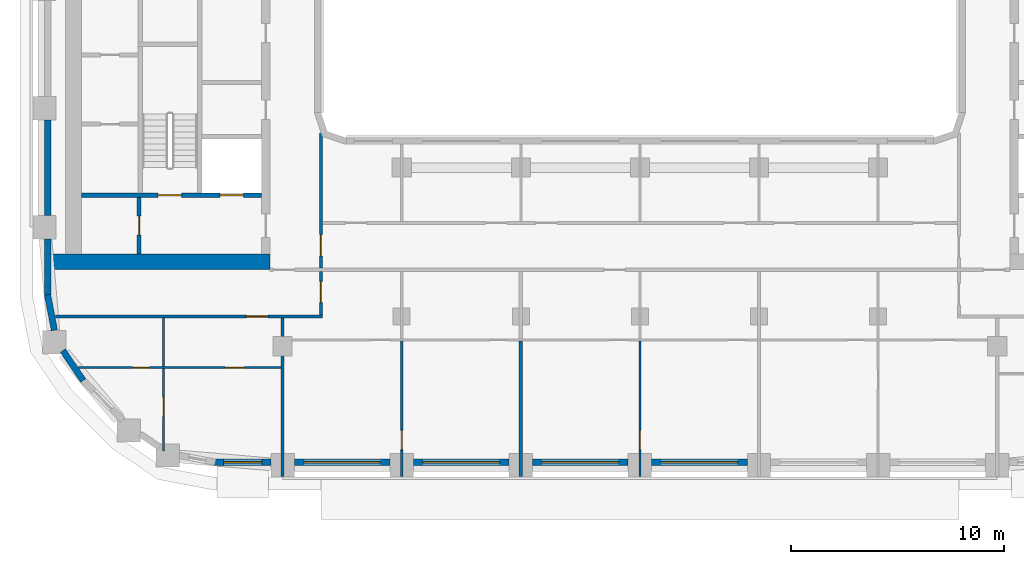
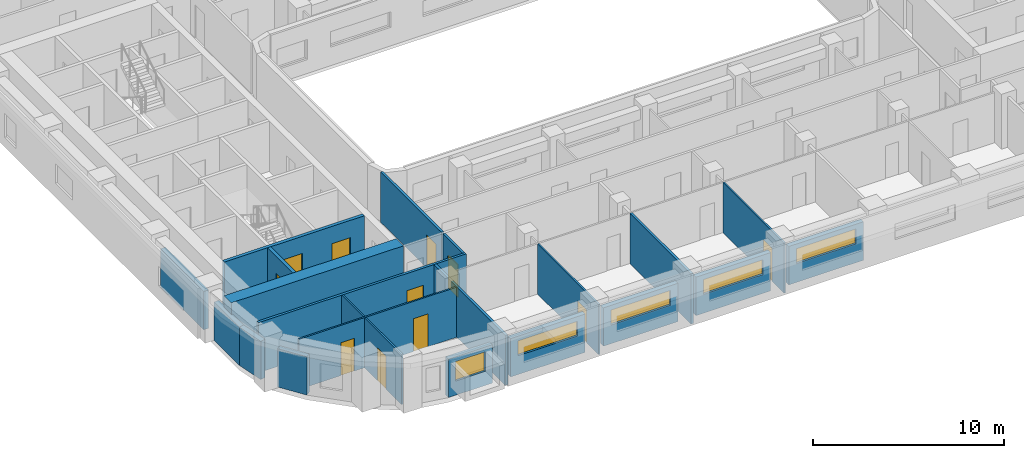
# One storey, part 2 of 22: 22 walls, 11 doors, 5 windows, 16 openings.
"""IFC4 building model written with IfcOpenShell, lengths in metres."""

from ifc_helpers import new_model, si_unit, direction, frame, frame_2d, origin, place, context, subcontext, project, spatial, rectangle, extrude, material, layer, layer_set, type_object, element, fill, save


model = new_model("IFC4")

# Units and contexts
model_context = context("Model", 3, precision=1e-05, world=origin(), true_north=direction((0.0, 1.0)))
body_context = subcontext(model_context, "Body", "Model", "MODEL_VIEW")
ifc_project = project(units=[si_unit("LENGTHUNIT", "METRE"), si_unit("AREAUNIT", "SQUARE_METRE"), si_unit("VOLUMEUNIT", "CUBIC_METRE"), si_unit("PLANEANGLEUNIT", "RADIAN"), si_unit("MASSUNIT", "GRAM", prefix="KILO")], contexts=[model_context])

# Site, building, storey
site_placement = place(None, origin())
site = spatial("IfcSite", under=ifc_project, at=site_placement, CompositionType="ELEMENT")
building_placement = place(site_placement, origin())
building = spatial("IfcBuilding", under=site, at=building_placement, Name="Kiln Ring Residences", CompositionType="ELEMENT")
storey_placement = place(building_placement, frame((0.0, 0.0, 150.10009765625)))
storey = spatial("IfcBuildingStorey", under=building, at=storey_placement, Name="L38", CompositionType="ELEMENT", Elevation=150.10009765625)

# Wall, opening, door
ifc_material_1 = material(Name="Gypsum board on steel studs", Category="steel")
ifc_layer_1 = layer(ifc_material_1, 0.199951171875)
ifc_layer_set_1 = layer_set([ifc_layer_1], Name="CORE-PARTITION-200")
wall_type_1 = type_object("IfcWallType", Name="CORE-PARTITION-200", PredefinedType="PARTITIONING", material=ifc_layer_set_1)
wall_1_placement = place(storey_placement, frame((-23.550048828125, -12.449951171875, 0.0), z_axis=(0.0, 0.0, 1.0), x_axis=(0.0, 1.0, 0.0)))
wall_1 = element("IfcWall", 1, at=wall_1_placement, inside=storey, type_object=wall_type_1, Name="Core partition west L38 5", PredefinedType="PARTITIONING", context=body_context, shape_type="SweptSolid", body=[
    extrude(rectangle(XDim=2.64990234375, YDim=0.199951171875, at=frame_2d((1.324951171875, 0.0))), origin(), (0.0, 0.0, 1.0), 3.199951171875),
])
opening_1_placement = place(wall_1_placement, frame((0.875, 0.0, 0.0)))
opening_1 = element("IfcOpeningElement", 2, at=opening_1_placement, cuts=wall_1, Name="Opening L38-CW10", PredefinedType="OPENING", context=body_context, shape_type="SweptSolid", body=[
    extrude(rectangle(XDim=0.89990234375, YDim=2.10009765625, at=frame_2d((0.449951171875, 1.050048828125))), frame((0.0, 0.10986328125, 0.0), z_axis=(0.0, -1.0, 0.0), x_axis=(1.0, 0.0, 0.0)), (0.0, 0.0, 1.0), 0.219970703125),
])
ifc_material_2 = material(Name="Steel door leaf", Category="steel")
door_type_1 = type_object("IfcDoorType", Name="CORE-DOOR-ROOM", OperationType="SINGLE_SWING_LEFT", PredefinedType="DOOR", material=ifc_material_2)
door_1_placement = place(opening_1_placement, origin())
door_1 = element("IfcDoor", 3, at=door_1_placement, inside=storey, type_object=door_type_1, Name="Store L38-CW10", OperationType="SINGLE_SWING_RIGHT", OverallHeight=2.10009765625, OverallWidth=0.89990234375, PredefinedType="DOOR", context=body_context, shape_type="SweptSolid", body=[
    extrude(rectangle(XDim=0.89990234375, YDim=2.10009765625, at=frame_2d((0.449951171875, 1.050048828125))), frame((0.0, 0.02490234375, 0.0), z_axis=(0.0, -1.0, 0.0), x_axis=(1.0, 0.0, 0.0)), (0.0, 0.0, 1.0), 0.050048828125),
])
fill(opening_1, door_1)

# Wall, openings, doors
ifc_material_3 = material(Name="Concrete C40/50", Category="concrete")
ifc_layer_2 = layer(ifc_material_3, 0.199951171875)
ifc_layer_set_2 = layer_set([ifc_layer_2], Name="CORE-WALL-RC200")
wall_type_2 = type_object("IfcWallType", Name="CORE-WALL-RC200", PredefinedType="SHEAR", material=ifc_layer_set_2)
wall_2_placement = place(storey_placement, frame((-17.800048828125, -9.699951171875, 0.0), z_axis=(0.0, 0.0, 1.0), x_axis=(-1.0, 0.0, 0.0)))
wall_2 = element("IfcWall", 4, at=wall_2_placement, inside=storey, type_object=wall_type_2, Name="Core wall west L38 8", PredefinedType="SHEAR", context=body_context, shape_type="SweptSolid", body=[
    extrude(rectangle(XDim=8.449951171875, YDim=0.199951171875, at=frame_2d((4.22509765625, 0.0))), origin(), (0.0, 0.0, 1.0), 3.199951171875),
])
opening_2_placement = place(wall_2_placement, frame((0.85009765625, 0.0, 0.0)))
opening_2 = element("IfcOpeningElement", 5, at=opening_2_placement, cuts=wall_2, Name="Opening L38-CW01", PredefinedType="OPENING", context=body_context, shape_type="SweptSolid", body=[
    extrude(rectangle(XDim=1.10009765625, YDim=2.10009765625, at=frame_2d((0.550048828125, 1.050048828125))), frame((0.0, 0.10986328125, 0.0), z_axis=(0.0, -1.0, 0.0), x_axis=(1.0, 0.0, 0.0)), (0.0, 0.0, 1.0), 0.219970703125),
])
opening_3_placement = place(wall_2_placement, frame((3.75, 0.0, 0.0)))
opening_3 = element("IfcOpeningElement", 6, at=opening_3_placement, cuts=wall_2, Name="Opening L38-CW12", PredefinedType="OPENING", context=body_context, shape_type="SweptSolid", body=[
    extrude(rectangle(XDim=1.10009765625, YDim=2.10009765625, at=frame_2d((0.550048828125, 1.050048828125))), frame((0.0, 0.10986328125, 0.0), z_axis=(0.0, -1.0, 0.0), x_axis=(1.0, 0.0, 0.0)), (0.0, 0.0, 1.0), 0.219970703125),
])
ifc_material_4 = material(Name="Steel door leaf", Category="steel")
door_type_2 = type_object("IfcDoorType", Name="CORE-DOOR-LD", OperationType="DOUBLE_DOOR_SLIDING", PredefinedType="DOOR", material=ifc_material_4)
door_2_placement = place(opening_2_placement, origin())
door_2 = element("IfcDoor", 7, at=door_2_placement, inside=storey, type_object=door_type_2, Name="LD W-SV L38-CW01", OperationType="DOUBLE_DOOR_SLIDING", OverallHeight=2.10009765625, OverallWidth=1.10009765625, PredefinedType="DOOR", context=body_context, shape_type="SweptSolid", body=[
    extrude(rectangle(XDim=1.10009765625, YDim=2.10009765625, at=frame_2d((0.550048828125, 1.050048828125))), frame((0.0, 0.02490234375, 0.0), z_axis=(0.0, -1.0, 0.0), x_axis=(1.0, 0.0, 0.0)), (0.0, 0.0, 1.0), 0.050048828125),
])
fill(opening_2, door_2)
ifc_material_5 = material(Name="Steel door leaf", Category="steel")
door_type_3 = type_object("IfcDoorType", Name="CORE-DOOR-STAIR", OperationType="SINGLE_SWING_LEFT", PredefinedType="DOOR", material=ifc_material_5)
door_3_placement = place(opening_3_placement, origin())
door_3 = element("IfcDoor", 8, at=door_3_placement, inside=storey, type_object=door_type_3, Name="Stair W-STS L38-CW12", OperationType="SINGLE_SWING_LEFT", OverallHeight=2.10009765625, OverallWidth=1.10009765625, PredefinedType="DOOR", context=body_context, shape_type="SweptSolid", body=[
    extrude(rectangle(XDim=1.10009765625, YDim=2.10009765625, at=frame_2d((0.550048828125, 1.050048828125))), frame((0.0, 0.02490234375, 0.0), z_axis=(0.0, -1.0, 0.0), x_axis=(1.0, 0.0, 0.0)), (0.0, 0.0, 1.0), 0.050048828125),
])
fill(opening_3, door_3)

# Wall
ifc_material_6 = material(Name="Concrete C60/75", Category="concrete")
ifc_layer_3 = layer(ifc_material_6, 0.75)
ifc_layer_set_3 = layer_set([ifc_layer_3], Name="CORE-WALL-RC750")
wall_type_3 = type_object("IfcWallType", Name="CORE-WALL-RC750", PredefinedType="SHEAR", material=ifc_layer_set_3)
wall_3_placement = place(storey_placement, frame((-17.39990234375, -12.824951171875, 0.0), z_axis=(0.0, 0.0, 1.0), x_axis=(-1.0, 0.0, 0.0)))
element("IfcWall", 9, at=wall_3_placement, inside=storey, type_object=wall_type_3, Name="Core wall west L38 5", PredefinedType="SHEAR", context=body_context, shape_type="SweptSolid", body=[
    extrude(rectangle(XDim=10.400146484375, YDim=0.75, at=frame_2d((5.2001953125, 0.0))), origin(), (0.0, 0.0, 1.0), 3.199951171875),
])

# Wall, opening, window
ifc_material_7 = material(Name="Brick masonry, dark clay brick", Category="masonry")
ifc_layer_4 = layer(ifc_material_7, 0.300048828125)
ifc_layer_set_4 = layer_set([ifc_layer_4], Name="EW-300 BRICK WALL")
wall_type_4 = type_object("IfcWallType", Name="EW-300 BRICK WALL", PredefinedType="SOLIDWALL", material=ifc_layer_set_4)
wall_4_placement = place(storey_placement, frame((-20.0, -22.25, 0.0), z_axis=(0.0, 0.0, 1.0), x_axis=(1.0, 0.0, 0.0)))
wall_4 = element("IfcWall", 10, at=wall_4_placement, inside=storey, type_object=wall_type_4, Name="Facade wall L38 4", PredefinedType="SOLIDWALL", context=body_context, shape_type="SweptSolid", body=[
    extrude(rectangle(XDim=2.64990234375, YDim=0.300048828125, at=frame_2d((1.324951171875, 0.0))), origin(), (0.0, 0.0, 1.0), 2.449951171875),
])
opening_4_placement = place(wall_4_placement, frame((0.425048828125, 0.0, 0.89990234375)))
opening_4 = element("IfcOpeningElement", 11, at=opening_4_placement, cuts=wall_4, Name="Opening W2", PredefinedType="OPENING", context=body_context, shape_type="SweptSolid", body=[
    extrude(rectangle(XDim=1.800048828125, YDim=1.25, at=frame_2d((0.89990234375, 0.625))), frame((0.0, 0.159912109375, 0.0), z_axis=(0.0, -1.0, 0.0), x_axis=(1.0, 0.0, 0.0)), (0.0, 0.0, 1.0), 0.320068359375),
])
ifc_material_8 = material(Name="Aluminium frame with double glazing", Category="aluminium")
window_type_1 = type_object("IfcWindowType", Name="WINDOW 1800 x 1250", PartitioningType="SINGLE_PANEL", PredefinedType="WINDOW", material=ifc_material_8)
window_1_placement = place(opening_4_placement, origin())
window_1 = element("IfcWindow", 12, at=window_1_placement, inside=storey, type_object=window_type_1, Name="Window L38 3", OverallHeight=1.25, OverallWidth=1.800048828125, PartitioningType="SINGLE_PANEL", PredefinedType="WINDOW", context=body_context, shape_type="SweptSolid", body=[
    extrude(rectangle(XDim=1.800048828125, YDim=1.25, at=frame_2d((0.89990234375, 0.625))), frame((0.0, 0.030029296875, 0.0), z_axis=(0.0, -1.0, 0.0), x_axis=(1.0, 0.0, 0.0)), (0.0, 0.0, 1.0), 0.06005859375),
])
fill(opening_4, window_1)

wall_5_placement = place(storey_placement, frame((-16.25, -22.25, 0.0), z_axis=(0.0, 0.0, 1.0), x_axis=(1.0, 0.0, 0.0)))
wall_5 = element("IfcWall", 13, at=wall_5_placement, inside=storey, type_object=wall_type_4, Name="Facade wall L38 5", PredefinedType="SOLIDWALL", context=body_context, shape_type="SweptSolid", body=[
    extrude(rectangle(XDim=4.5, YDim=0.300048828125, at=frame_2d((2.25, 0.0))), origin(), (0.0, 0.0, 1.0), 2.449951171875),
])
opening_5_placement = place(wall_5_placement, frame((0.449951171875, 0.0, 1.199951171875)))
opening_5 = element("IfcOpeningElement", 14, at=opening_5_placement, cuts=wall_5, Name="Opening W4", PredefinedType="OPENING", context=body_context, shape_type="SweptSolid", body=[
    extrude(rectangle(XDim=3.60009765625, YDim=0.949951171875, at=frame_2d((1.800048828125, 0.47509765625))), frame((0.0, 0.159912109375, 0.0), z_axis=(0.0, -1.0, 0.0), x_axis=(1.0, 0.0, 0.0)), (0.0, 0.0, 1.0), 0.320068359375),
])
ifc_material_9 = material(Name="Aluminium frame with double glazing", Category="aluminium")
window_type_2 = type_object("IfcWindowType", Name="WINDOW 3600 x 950", PartitioningType="SINGLE_PANEL", PredefinedType="WINDOW", material=ifc_material_9)
window_2_placement = place(opening_5_placement, origin())
window_2 = element("IfcWindow", 15, at=window_2_placement, inside=storey, type_object=window_type_2, Name="Window L38 4", OverallHeight=0.949951171875, OverallWidth=3.60009765625, PartitioningType="SINGLE_PANEL", PredefinedType="WINDOW", context=body_context, shape_type="SweptSolid", body=[
    extrude(rectangle(XDim=3.60009765625, YDim=0.949951171875, at=frame_2d((1.800048828125, 0.47509765625))), frame((0.0, 0.030029296875, 0.0), z_axis=(0.0, -1.0, 0.0), x_axis=(1.0, 0.0, 0.0)), (0.0, 0.0, 1.0), 0.06005859375),
])
fill(opening_5, window_2)

wall_6_placement = place(storey_placement, frame((-10.64990234375, -22.25, 0.0), z_axis=(0.0, 0.0, 1.0), x_axis=(1.0, 0.0, 0.0)))
wall_6 = element("IfcWall", 16, at=wall_6_placement, inside=storey, type_object=wall_type_4, Name="Facade wall L38 6", PredefinedType="SOLIDWALL", context=body_context, shape_type="SweptSolid", body=[
    extrude(rectangle(XDim=4.5, YDim=0.300048828125, at=frame_2d((2.25, 0.0))), origin(), (0.0, 0.0, 1.0), 2.449951171875),
])
opening_6_placement = place(wall_6_placement, frame((0.449951171875, 0.0, 1.199951171875)))
opening_6 = element("IfcOpeningElement", 17, at=opening_6_placement, cuts=wall_6, Name="Opening W4", PredefinedType="OPENING", context=body_context, shape_type="SweptSolid", body=[
    extrude(rectangle(XDim=3.60009765625, YDim=0.949951171875, at=frame_2d((1.800048828125, 0.47509765625))), frame((0.0, 0.159912109375, 0.0), z_axis=(0.0, -1.0, 0.0), x_axis=(1.0, 0.0, 0.0)), (0.0, 0.0, 1.0), 0.320068359375),
])
window_3_placement = place(opening_6_placement, origin())
window_3 = element("IfcWindow", 18, at=window_3_placement, inside=storey, type_object=window_type_2, Name="Window L38 5", OverallHeight=0.949951171875, OverallWidth=3.60009765625, PartitioningType="SINGLE_PANEL", PredefinedType="WINDOW", context=body_context, shape_type="SweptSolid", body=[
    extrude(rectangle(XDim=3.60009765625, YDim=0.949951171875, at=frame_2d((1.800048828125, 0.47509765625))), frame((0.0, 0.030029296875, 0.0), z_axis=(0.0, -1.0, 0.0), x_axis=(1.0, 0.0, 0.0)), (0.0, 0.0, 1.0), 0.06005859375),
])
fill(opening_6, window_3)

wall_7_placement = place(storey_placement, frame((-5.050048828125, -22.25, 0.0), z_axis=(0.0, 0.0, 1.0), x_axis=(1.0, 0.0, 0.0)))
wall_7 = element("IfcWall", 19, at=wall_7_placement, inside=storey, type_object=wall_type_4, Name="Facade wall L38 7", PredefinedType="SOLIDWALL", context=body_context, shape_type="SweptSolid", body=[
    extrude(rectangle(XDim=4.5, YDim=0.300048828125, at=frame_2d((2.25, 0.0))), origin(), (0.0, 0.0, 1.0), 2.449951171875),
])
opening_7_placement = place(wall_7_placement, frame((0.449951171875, 0.0, 1.199951171875)))
opening_7 = element("IfcOpeningElement", 20, at=opening_7_placement, cuts=wall_7, Name="Opening W4", PredefinedType="OPENING", context=body_context, shape_type="SweptSolid", body=[
    extrude(rectangle(XDim=3.60009765625, YDim=0.949951171875, at=frame_2d((1.800048828125, 0.47509765625))), frame((0.0, 0.159912109375, 0.0), z_axis=(0.0, -1.0, 0.0), x_axis=(1.0, 0.0, 0.0)), (0.0, 0.0, 1.0), 0.320068359375),
])
window_4_placement = place(opening_7_placement, origin())
window_4 = element("IfcWindow", 21, at=window_4_placement, inside=storey, type_object=window_type_2, Name="Window L38 6", OverallHeight=0.949951171875, OverallWidth=3.60009765625, PartitioningType="SINGLE_PANEL", PredefinedType="WINDOW", context=body_context, shape_type="SweptSolid", body=[
    extrude(rectangle(XDim=3.60009765625, YDim=0.949951171875, at=frame_2d((1.800048828125, 0.47509765625))), frame((0.0, 0.030029296875, 0.0), z_axis=(0.0, -1.0, 0.0), x_axis=(1.0, 0.0, 0.0)), (0.0, 0.0, 1.0), 0.06005859375),
])
fill(opening_7, window_4)

wall_8_placement = place(storey_placement, frame((0.550048828125, -22.25, 0.0), z_axis=(0.0, 0.0, 1.0), x_axis=(1.0, 0.0, 0.0)))
wall_8 = element("IfcWall", 22, at=wall_8_placement, inside=storey, type_object=wall_type_4, Name="Facade wall L38 8", PredefinedType="SOLIDWALL", context=body_context, shape_type="SweptSolid", body=[
    extrude(rectangle(XDim=4.5, YDim=0.300048828125, at=frame_2d((2.25, 0.0))), origin(), (0.0, 0.0, 1.0), 2.449951171875),
])
opening_8_placement = place(wall_8_placement, frame((0.449951171875, 0.0, 1.199951171875)))
opening_8 = element("IfcOpeningElement", 23, at=opening_8_placement, cuts=wall_8, Name="Opening W4", PredefinedType="OPENING", context=body_context, shape_type="SweptSolid", body=[
    extrude(rectangle(XDim=3.60009765625, YDim=0.949951171875, at=frame_2d((1.800048828125, 0.47509765625))), frame((0.0, 0.159912109375, 0.0), z_axis=(0.0, -1.0, 0.0), x_axis=(1.0, 0.0, 0.0)), (0.0, 0.0, 1.0), 0.320068359375),
])
window_5_placement = place(opening_8_placement, origin())
window_5 = element("IfcWindow", 24, at=window_5_placement, inside=storey, type_object=window_type_2, Name="Window L38 7", OverallHeight=0.949951171875, OverallWidth=3.60009765625, PartitioningType="SINGLE_PANEL", PredefinedType="WINDOW", context=body_context, shape_type="SweptSolid", body=[
    extrude(rectangle(XDim=3.60009765625, YDim=0.949951171875, at=frame_2d((1.800048828125, 0.47509765625))), frame((0.0, 0.030029296875, 0.0), z_axis=(0.0, -1.0, 0.0), x_axis=(1.0, 0.0, 0.0)), (0.0, 0.0, 1.0), 0.06005859375),
])
fill(opening_8, window_5)

# Walls
wall_9_placement = place(storey_placement, frame((-27.85009765625, -6.14990234375, 0.0), z_axis=(0.0, 0.0, 1.0), x_axis=(0.0, -1.0, 0.0)))
element("IfcWall", 25, at=wall_9_placement, inside=storey, type_object=wall_type_4, Name="Facade wall L38 45", PredefinedType="SOLIDWALL", context=body_context, shape_type="SweptSolid", body=[
    extrude(rectangle(XDim=4.5, YDim=0.300048828125, at=frame_2d((2.25, 0.0))), origin(), (0.0, 0.0, 1.0), 2.449951171875),
])
wall_10_placement = place(storey_placement, frame((-27.85009765625, -11.75, 0.0), z_axis=(0.0, 0.0, 1.0), x_axis=(0.0, -1.0, 0.0)))
element("IfcWall", 26, at=wall_10_placement, inside=storey, type_object=wall_type_4, Name="Facade wall L38 46", PredefinedType="SOLIDWALL", context=body_context, shape_type="SweptSolid", body=[
    extrude(rectangle(XDim=2.64990234375, YDim=0.300048828125, at=frame_2d((1.324951171875, 0.0))), origin(), (0.0, 0.0, 1.0), 2.449951171875),
])
wall_11_placement = place(storey_placement, frame((-27.8525390625, -14.371826171875, 0.0), z_axis=(0.0, 0.0, 1.0), x_axis=(0.187302784601, -0.982302227871, 0.0)))
element("IfcWall", 27, at=wall_11_placement, inside=storey, type_object=wall_type_4, Name="Facade wall L38 47", PredefinedType="SOLIDWALL", context=body_context, shape_type="SweptSolid", body=[
    extrude(rectangle(XDim=1.706298828125, YDim=0.300048828125, at=frame_2d((0.85302734375, 0.0))), origin(), (0.0, 0.0, 1.0), 2.449951171875),
])
wall_12_placement = place(storey_placement, frame((-27.137939453125, -17.001708984375, 0.0), z_axis=(0.0, 0.0, 1.0), x_axis=(0.562075160946, -0.827086158419, 0.0)))
element("IfcWall", 28, at=wall_12_placement, inside=storey, type_object=wall_type_4, Name="Facade wall L38 48", PredefinedType="SOLIDWALL", context=body_context, shape_type="SweptSolid", body=[
    extrude(rectangle(XDim=1.7060546875, YDim=0.300048828125, at=frame_2d((0.85302734375, 0.0))), origin(), (0.0, 0.0, 1.0), 2.449951171875),
])

# Wall, openings, doors
ifc_material_10 = material(Name="Gypsum board on steel studs", Category="steel")
ifc_layer_5 = layer(ifc_material_10, 0.10009765625)
ifc_layer_set_5 = layer_set([ifc_layer_5], Name="PARTITION-100")
wall_type_5 = type_object("IfcWallType", Name="PARTITION-100", PredefinedType="PARTITIONING", material=ifc_layer_set_5)
wall_13_placement = place(storey_placement, frame((-26.39404296875, -17.800048828125, 0.0), z_axis=(0.0, 0.0, 1.0), x_axis=(1.0, 0.0, 0.0)))
wall_13 = element("IfcWall", 29, at=wall_13_placement, inside=storey, type_object=wall_type_5, Name="Partition 001", PredefinedType="PARTITIONING", context=body_context, shape_type="SweptSolid", body=[
    extrude(rectangle(XDim=9.51904296875, YDim=0.10009765625, at=frame_2d((4.759521484375, 0.0))), origin(), (0.0, 0.0, 1.0), 3.199951171875),
])
opening_9_placement = place(wall_13_placement, frame((2.5439453125, 0.0, 0.0)))
opening_9 = element("IfcOpeningElement", 30, at=opening_9_placement, cuts=wall_13, Name="Opening L38-D061", PredefinedType="OPENING", context=body_context, shape_type="SweptSolid", body=[
    extrude(rectangle(XDim=0.800048828125, YDim=2.10009765625, at=frame_2d((0.39990234375, 1.050048828125))), frame((0.0, 0.06005859375, 0.0), z_axis=(0.0, -1.0, 0.0), x_axis=(1.0, 0.0, 0.0)), (0.0, 0.0, 1.0), 0.1201171875),
])
opening_10_placement = place(wall_13_placement, frame((6.89404296875, 0.0, 0.0)))
opening_10 = element("IfcOpeningElement", 31, at=opening_10_placement, cuts=wall_13, Name="Opening L38-D062", PredefinedType="OPENING", context=body_context, shape_type="SweptSolid", body=[
    extrude(rectangle(XDim=0.89990234375, YDim=2.10009765625, at=frame_2d((0.449951171875, 1.050048828125))), frame((0.0, 0.06005859375, 0.0), z_axis=(0.0, -1.0, 0.0), x_axis=(1.0, 0.0, 0.0)), (0.0, 0.0, 1.0), 0.1201171875),
])
ifc_material_11 = material(Name="Timber door leaf", Category="wood")
door_type_4 = type_object("IfcDoorType", Name="FLAT-DOOR-800-PL", OperationType="SINGLE_SWING_LEFT", PredefinedType="DOOR", material=ifc_material_11)
door_4_placement = place(opening_9_placement, origin())
door_4 = element("IfcDoor", 32, at=door_4_placement, inside=storey, type_object=door_type_4, Name="Door L38-D061", OperationType="SINGLE_SWING_LEFT", OverallHeight=2.10009765625, OverallWidth=0.800048828125, PredefinedType="DOOR", context=body_context, shape_type="SweptSolid", body=[
    extrude(rectangle(XDim=0.800048828125, YDim=2.10009765625, at=frame_2d((0.39990234375, 1.050048828125))), frame((0.0, 0.02490234375, 0.0), z_axis=(0.0, -1.0, 0.0), x_axis=(1.0, 0.0, 0.0)), (0.0, 0.0, 1.0), 0.050048828125),
])
fill(opening_9, door_4)
ifc_material_12 = material(Name="Timber door leaf", Category="wood")
door_type_5 = type_object("IfcDoorType", Name="FLAT-DOOR-900-PL", OperationType="SINGLE_SWING_LEFT", PredefinedType="DOOR", material=ifc_material_12)
door_5_placement = place(opening_10_placement, origin())
door_5 = element("IfcDoor", 33, at=door_5_placement, inside=storey, type_object=door_type_5, Name="Door L38-D062", OperationType="SINGLE_SWING_RIGHT", OverallHeight=2.10009765625, OverallWidth=0.89990234375, PredefinedType="DOOR", context=body_context, shape_type="SweptSolid", body=[
    extrude(rectangle(XDim=0.89990234375, YDim=2.10009765625, at=frame_2d((0.449951171875, 1.050048828125))), frame((0.0, 0.02490234375, 0.0), z_axis=(0.0, -1.0, 0.0), x_axis=(1.0, 0.0, 0.0)), (0.0, 0.0, 1.0), 0.050048828125),
])
fill(opening_10, door_5)

# Wall, opening, door
wall_14_placement = place(storey_placement, frame((-22.39990234375, -21.719970703125, 0.0), z_axis=(0.0, 0.0, 1.0), x_axis=(0.0, 1.0, 0.0)))
wall_14 = element("IfcWall", 34, at=wall_14_placement, inside=storey, type_object=wall_type_5, Name="Partition 014", PredefinedType="PARTITIONING", context=body_context, shape_type="SweptSolid", body=[
    extrude(rectangle(XDim=3.869873046875, YDim=0.10009765625, at=frame_2d((1.93505859375, 0.0))), origin(), (0.0, 0.0, 1.0), 3.199951171875),
])
opening_11_placement = place(wall_14_placement, frame((1.6201171875, 0.0, 0.0)))
opening_11 = element("IfcOpeningElement", 35, at=opening_11_placement, cuts=wall_14, Name="Opening L38-D063", PredefinedType="OPENING", context=body_context, shape_type="SweptSolid", body=[
    extrude(rectangle(XDim=0.89990234375, YDim=2.10009765625, at=frame_2d((0.449951171875, 1.050048828125))), frame((0.0, 0.06005859375, 0.0), z_axis=(0.0, -1.0, 0.0), x_axis=(1.0, 0.0, 0.0)), (0.0, 0.0, 1.0), 0.1201171875),
])
door_6_placement = place(opening_11_placement, origin())
door_6 = element("IfcDoor", 36, at=door_6_placement, inside=storey, type_object=door_type_5, Name="Door L38-D063", OperationType="SINGLE_SWING_LEFT", OverallHeight=2.10009765625, OverallWidth=0.89990234375, PredefinedType="DOOR", context=body_context, shape_type="SweptSolid", body=[
    extrude(rectangle(XDim=0.89990234375, YDim=2.10009765625, at=frame_2d((0.449951171875, 1.050048828125))), frame((0.0, 0.02490234375, 0.0), z_axis=(0.0, -1.0, 0.0), x_axis=(1.0, 0.0, 0.0)), (0.0, 0.0, 1.0), 0.050048828125),
])
fill(opening_11, door_6)

# Wall
wall_15_placement = place(storey_placement, frame((-22.39990234375, -17.75, 0.0), z_axis=(0.0, 0.0, 1.0), x_axis=(0.0, 1.0, 0.0)))
element("IfcWall", 37, at=wall_15_placement, inside=storey, type_object=wall_type_5, Name="Partition 015", PredefinedType="PARTITIONING", context=body_context, shape_type="SweptSolid", body=[
    extrude(rectangle(XDim=2.27490234375, YDim=0.10009765625, at=frame_2d((1.137451171875, 0.0))), origin(), (0.0, 0.0, 1.0), 3.199951171875),
])

# Wall, opening, door
wall_16_placement = place(storey_placement, frame((-11.199951171875, -22.929931640625, 0.0), z_axis=(0.0, 0.0, 1.0), x_axis=(0.0, 1.0, 0.0)))
wall_16 = element("IfcWall", 38, at=wall_16_placement, inside=storey, type_object=wall_type_5, Name="Partition 025", PredefinedType="PARTITIONING", context=body_context, shape_type="SweptSolid", body=[
    extrude(rectangle(XDim=6.3798828125, YDim=0.10009765625, at=frame_2d((3.18994140625, 0.0))), origin(), (0.0, 0.0, 1.0), 3.199951171875),
])
opening_12_placement = place(wall_16_placement, frame((1.27001953125, 0.0, 0.0)))
opening_12 = element("IfcOpeningElement", 39, at=opening_12_placement, cuts=wall_16, Name="Opening L38-D047", PredefinedType="OPENING", context=body_context, shape_type="SweptSolid", body=[
    extrude(rectangle(XDim=0.89990234375, YDim=2.10009765625, at=frame_2d((0.449951171875, 1.050048828125))), frame((0.0, 0.06005859375, 0.0), z_axis=(0.0, -1.0, 0.0), x_axis=(1.0, 0.0, 0.0)), (0.0, 0.0, 1.0), 0.1201171875),
])
door_7_placement = place(opening_12_placement, origin())
door_7 = element("IfcDoor", 40, at=door_7_placement, inside=storey, type_object=door_type_5, Name="Door L38-D047", OperationType="SINGLE_SWING_LEFT", OverallHeight=2.10009765625, OverallWidth=0.89990234375, PredefinedType="DOOR", context=body_context, shape_type="SweptSolid", body=[
    extrude(rectangle(XDim=0.89990234375, YDim=2.10009765625, at=frame_2d((0.449951171875, 1.050048828125))), frame((0.0, 0.02490234375, 0.0), z_axis=(0.0, -1.0, 0.0), x_axis=(1.0, 0.0, 0.0)), (0.0, 0.0, 1.0), 0.050048828125),
])
fill(opening_12, door_7)

wall_17_placement = place(storey_placement, frame((0.0, -22.929931640625, 0.0), z_axis=(0.0, 0.0, 1.0), x_axis=(0.0, 1.0, 0.0)))
wall_17 = element("IfcWall", 41, at=wall_17_placement, inside=storey, type_object=wall_type_5, Name="Partition 039", PredefinedType="PARTITIONING", context=body_context, shape_type="SweptSolid", body=[
    extrude(rectangle(XDim=6.3798828125, YDim=0.10009765625, at=frame_2d((3.18994140625, 0.0))), origin(), (0.0, 0.0, 1.0), 3.199951171875),
])
opening_13_placement = place(wall_17_placement, frame((1.27001953125, 0.0, 0.0)))
opening_13 = element("IfcOpeningElement", 42, at=opening_13_placement, cuts=wall_17, Name="Opening L38-D051", PredefinedType="OPENING", context=body_context, shape_type="SweptSolid", body=[
    extrude(rectangle(XDim=0.89990234375, YDim=2.10009765625, at=frame_2d((0.449951171875, 1.050048828125))), frame((0.0, 0.06005859375, 0.0), z_axis=(0.0, -1.0, 0.0), x_axis=(1.0, 0.0, 0.0)), (0.0, 0.0, 1.0), 0.1201171875),
])
door_8_placement = place(opening_13_placement, origin())
door_8 = element("IfcDoor", 43, at=door_8_placement, inside=storey, type_object=door_type_5, Name="Door L38-D051", OperationType="SINGLE_SWING_LEFT", OverallHeight=2.10009765625, OverallWidth=0.89990234375, PredefinedType="DOOR", context=body_context, shape_type="SweptSolid", body=[
    extrude(rectangle(XDim=0.89990234375, YDim=2.10009765625, at=frame_2d((0.449951171875, 1.050048828125))), frame((0.0, 0.02490234375, 0.0), z_axis=(0.0, -1.0, 0.0), x_axis=(1.0, 0.0, 0.0)), (0.0, 0.0, 1.0), 0.050048828125),
])
fill(opening_13, door_8)

ifc_material_13 = material(Name="Brick masonry partition", Category="masonry")
ifc_layer_6 = layer(ifc_material_13, 0.14990234375)
ifc_layer_set_6 = layer_set([ifc_layer_6], Name="PARTITION-150-ei60")
wall_type_6 = type_object("IfcWallType", Name="PARTITION-150-ei60", PredefinedType="PARTITIONING", material=ifc_layer_set_6)
wall_18_placement = place(storey_placement, frame((-27.48388671875, -15.39990234375, 0.0), z_axis=(0.0, 0.0, 1.0), x_axis=(1.0, 0.0, 0.0)))
wall_18 = element("IfcWall", 44, at=wall_18_placement, inside=storey, type_object=wall_type_6, Name="Partition 003", PredefinedType="PARTITIONING", context=body_context, shape_type="SweptSolid", body=[
    extrude(rectangle(XDim=12.558837890625, YDim=0.14990234375, at=frame_2d((6.279296875, 0.0))), origin(), (0.0, 0.0, 1.0), 3.199951171875),
])
opening_14_placement = place(wall_18_placement, frame((8.98388671875, 0.0, 0.0)))
opening_14 = element("IfcOpeningElement", 45, at=opening_14_placement, cuts=wall_18, Name="Opening L38-D060", PredefinedType="OPENING", context=body_context, shape_type="SweptSolid", body=[
    extrude(rectangle(XDim=1.0, YDim=2.10009765625, at=frame_2d((0.5, 1.050048828125))), frame((0.0, 0.0849609375, 0.0), z_axis=(0.0, -1.0, 0.0), x_axis=(1.0, 0.0, 0.0)), (0.0, 0.0, 1.0), 0.169921875),
])
ifc_material_14 = material(Name="Steel faced fire door leaf", Category="steel")
door_type_6 = type_object("IfcDoorType", Name="FLAT-DOOR-1000-FR", OperationType="SINGLE_SWING_LEFT", PredefinedType="DOOR", material=ifc_material_14)
door_9_placement = place(opening_14_placement, origin())
door_9 = element("IfcDoor", 46, at=door_9_placement, inside=storey, type_object=door_type_6, Name="Door L38-D060", OperationType="SINGLE_SWING_RIGHT", OverallHeight=2.10009765625, OverallWidth=1.0, PredefinedType="DOOR", context=body_context, shape_type="SweptSolid", body=[
    extrude(rectangle(XDim=1.0, YDim=2.10009765625, at=frame_2d((0.5, 1.050048828125))), frame((0.0, 0.02490234375, 0.0), z_axis=(0.0, -1.0, 0.0), x_axis=(1.0, 0.0, 0.0)), (0.0, 0.0, 1.0), 0.050048828125),
])
fill(opening_14, door_9)

# Wall
wall_19_placement = place(storey_placement, frame((-16.800048828125, -22.929931640625, 0.0), z_axis=(0.0, 0.0, 1.0), x_axis=(0.0, 1.0, 0.0)))
element("IfcWall", 47, at=wall_19_placement, inside=storey, type_object=wall_type_6, Name="Partition 018", PredefinedType="PARTITIONING", context=body_context, shape_type="SweptSolid", body=[
    extrude(rectangle(XDim=7.454833984375, YDim=0.14990234375, at=frame_2d((3.7275390625, 0.0))), origin(), (0.0, 0.0, 1.0), 3.199951171875),
])

# Wall, opening, door
wall_20_placement = place(storey_placement, frame((-15.0, -15.324951171875, 0.0), z_axis=(0.0, 0.0, 1.0), x_axis=(0.0, 1.0, 0.0)))
wall_20 = element("IfcWall", 48, at=wall_20_placement, inside=storey, type_object=wall_type_6, Name="Partition 020", PredefinedType="PARTITIONING", context=body_context, shape_type="SweptSolid", body=[
    extrude(rectangle(XDim=2.050048828125, YDim=0.14990234375, at=frame_2d((1.02490234375, 0.0))), origin(), (0.0, 0.0, 1.0), 3.199951171875),
])
opening_15_placement = place(wall_20_placement, frame((0.573974609375, 0.0, 0.0)))
opening_15 = element("IfcOpeningElement", 49, at=opening_15_placement, cuts=wall_20, Name="Opening L38-D044", PredefinedType="OPENING", context=body_context, shape_type="SweptSolid", body=[
    extrude(rectangle(XDim=1.0, YDim=2.10009765625, at=frame_2d((0.5, 1.050048828125))), frame((0.0, 0.0849609375, 0.0), z_axis=(0.0, -1.0, 0.0), x_axis=(1.0, 0.0, 0.0)), (0.0, 0.0, 1.0), 0.169921875),
])
door_10_placement = place(opening_15_placement, origin())
door_10 = element("IfcDoor", 50, at=door_10_placement, inside=storey, type_object=door_type_6, Name="Door L38-D044", OperationType="SINGLE_SWING_RIGHT", OverallHeight=2.10009765625, OverallWidth=1.0, PredefinedType="DOOR", context=body_context, shape_type="SweptSolid", body=[
    extrude(rectangle(XDim=1.0, YDim=2.10009765625, at=frame_2d((0.5, 1.050048828125))), frame((0.0, 0.02490234375, 0.0), z_axis=(0.0, -1.0, 0.0), x_axis=(1.0, 0.0, 0.0)), (0.0, 0.0, 1.0), 0.050048828125),
])
fill(opening_15, door_10)

wall_21_placement = place(storey_placement, frame((-15.0, -13.125, 0.0), z_axis=(0.0, 0.0, 1.0), x_axis=(0.0, 1.0, 0.0)))
wall_21 = element("IfcWall", 51, at=wall_21_placement, inside=storey, type_object=wall_type_6, Name="Partition 021", PredefinedType="PARTITIONING", context=body_context, shape_type="SweptSolid", body=[
    extrude(rectangle(XDim=6.356201171875, YDim=0.14990234375, at=frame_2d((3.17822265625, 0.0))), origin(), (0.0, 0.0, 1.0), 3.199951171875),
])
opening_16_placement = place(wall_21_placement, frame((0.574951171875, 0.0, 0.0)))
opening_16 = element("IfcOpeningElement", 52, at=opening_16_placement, cuts=wall_21, Name="Opening L38-D005", PredefinedType="OPENING", context=body_context, shape_type="SweptSolid", body=[
    extrude(rectangle(XDim=1.0, YDim=2.10009765625, at=frame_2d((0.5, 1.050048828125))), frame((0.0, 0.0849609375, 0.0), z_axis=(0.0, -1.0, 0.0), x_axis=(1.0, 0.0, 0.0)), (0.0, 0.0, 1.0), 0.169921875),
])
door_11_placement = place(opening_16_placement, origin())
door_11 = element("IfcDoor", 53, at=door_11_placement, inside=storey, type_object=door_type_6, Name="Door L38-D005", OperationType="SINGLE_SWING_RIGHT", OverallHeight=2.10009765625, OverallWidth=1.0, PredefinedType="DOOR", context=body_context, shape_type="SweptSolid", body=[
    extrude(rectangle(XDim=1.0, YDim=2.10009765625, at=frame_2d((0.5, 1.050048828125))), frame((0.0, 0.02490234375, 0.0), z_axis=(0.0, -1.0, 0.0), x_axis=(1.0, 0.0, 0.0)), (0.0, 0.0, 1.0), 0.050048828125),
])
fill(opening_16, door_11)

# Wall
wall_22_placement = place(storey_placement, frame((-5.60009765625, -22.929931640625, 0.0), z_axis=(0.0, 0.0, 1.0), x_axis=(0.0, 1.0, 0.0)))
element("IfcWall", 54, at=wall_22_placement, inside=storey, type_object=wall_type_6, Name="Partition 034", PredefinedType="PARTITIONING", context=body_context, shape_type="SweptSolid", body=[
    extrude(rectangle(XDim=6.3798828125, YDim=0.14990234375, at=frame_2d((3.18994140625, 0.0))), origin(), (0.0, 0.0, 1.0), 3.199951171875),
])

save(model, "model.ifc")
